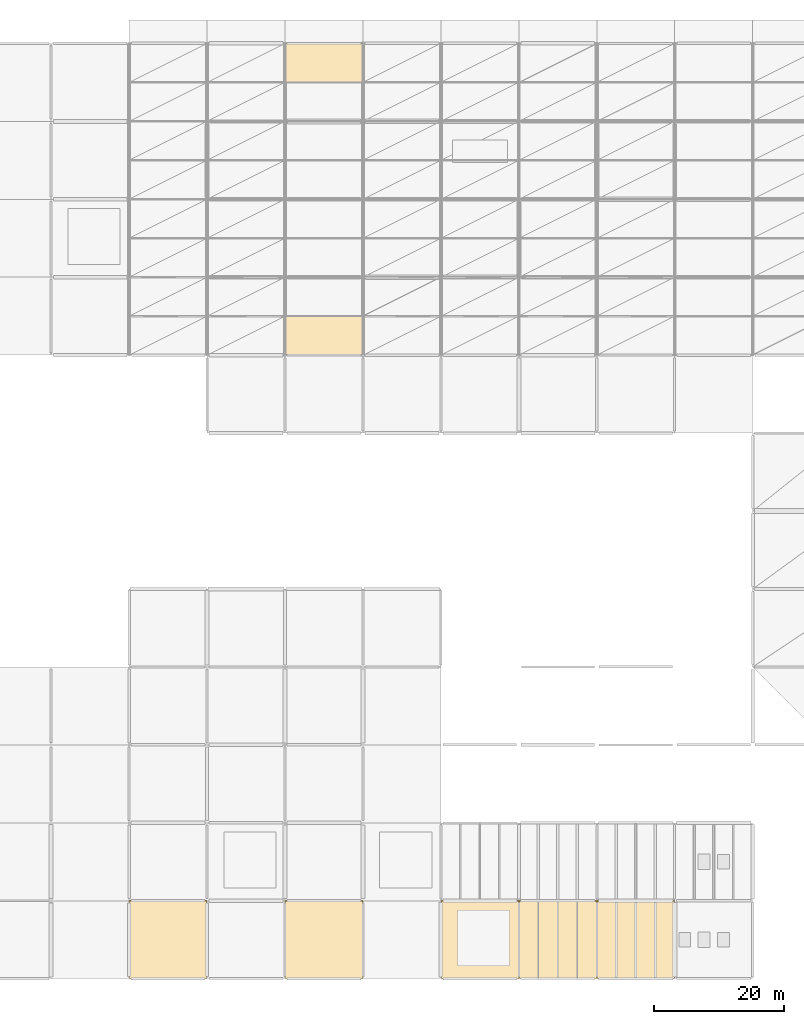
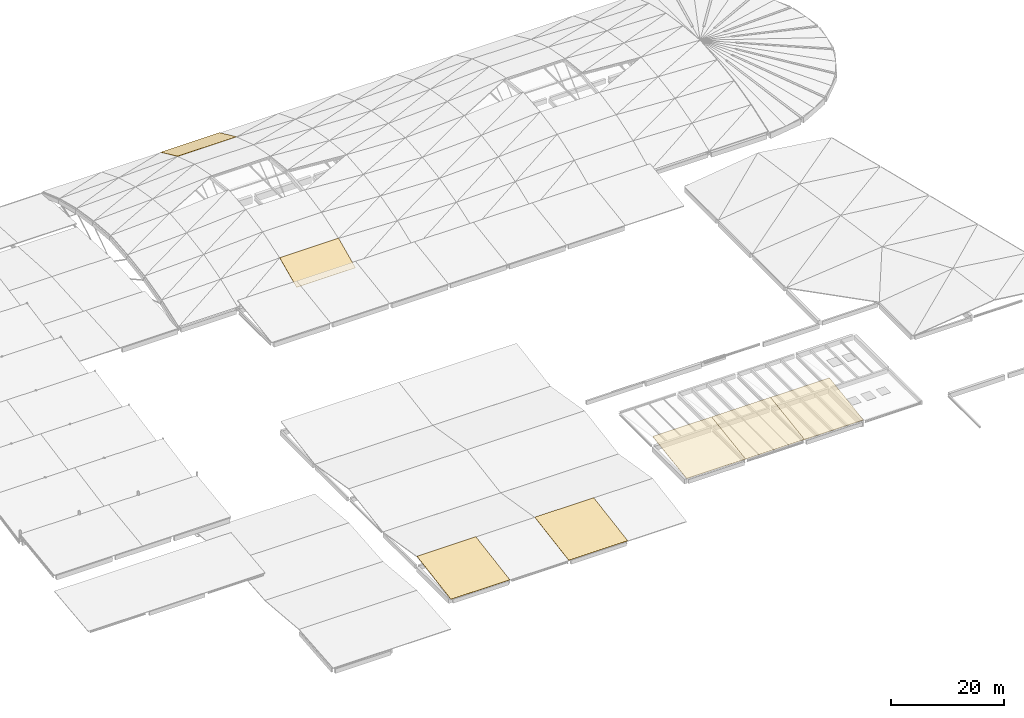
# One storey, part 23 of 23: 7 coverings.
"""IFC4 building model written with IfcOpenShell, lengths in metres."""

from ifc_helpers import new_model, si_unit, direction, frame, origin, place, context, subcontext, project, spatial, polyline, outline, extrude, material, layer, layer_set, type_object, element, save


model = new_model("IFC4")

# Units and contexts
model_context = context("Model", 3, precision=1e-05, world=origin(), true_north=direction((0.0, 1.0)))
body_context = subcontext(model_context, "Body", "Model", "MODEL_VIEW")
ifc_project = project(units=[si_unit("LENGTHUNIT", "METRE"), si_unit("AREAUNIT", "SQUARE_METRE"), si_unit("VOLUMEUNIT", "CUBIC_METRE"), si_unit("PLANEANGLEUNIT", "RADIAN"), si_unit("MASSUNIT", "GRAM", prefix="KILO")], contexts=[model_context])

# Site, building, storey
site_placement = place(None, origin())
site = spatial("IfcSite", under=ifc_project, at=site_placement, CompositionType="ELEMENT")
building_placement = place(site_placement, origin())
building = spatial("IfcBuilding", under=site, at=building_placement, Name="Kamomehara Wholesale Market", CompositionType="ELEMENT")
storey_placement = place(building_placement, frame((0.0, 0.0, 21.0)))
storey = spatial("IfcBuildingStorey", under=building, at=storey_placement, Name="RF", CompositionType="ELEMENT", Elevation=21.0)

# Coverings
ifc_material = material(Name="Solar-reflective roof membrane")
ifc_layer = layer(ifc_material, 0.044921875)
ifc_layer_set = layer_set([ifc_layer], Name="Solar-reflective roof membrane")
covering_type = type_object("IfcCoveringType", Name="COV-ROOF-MEM", PredefinedType="ROOFING", material=ifc_layer_set)
for number, where, z_axis, x_axis, name in (
    (1, (84.0, 108.0, -8.60498046875), (0.0, -0.417265796716, 0.908784493096), (1.0, 0.0, 0.0), "Shell roof membrane 1"),
    (2, (84.0, 150.0, -5.85009765625), (0.0, 0.417265796716, 0.908784493096), (1.0, 0.0, 0.0), "Shell roof membrane 2"),
):
    element("IfcCovering", number, at=place(storey_placement, frame(where, z_axis=z_axis, x_axis=x_axis)), inside=storey, type_object=covering_type, Name=name, PredefinedType="ROOFING", context=body_context, shape_type="SweptSolid", body=[
        extrude(outline(polyline([(0.0, 0.0), (12.0, 0.0), (12.0, 6.602225330190413), (0.0, 6.602225330190413), (0.0, 0.0)])), origin(), (0.0, 0.0, -1.0), 0.044921875),
    ])
for number, where, z_axis, x_axis, name in (
    (3, (108.0, 12.0, 0.044921875), (0.0, -0.148344388372, 0.988935762544), (1.0, 0.0, 0.0), "Roof waterproofing membrane 10"),
    (4, (120.0, 12.0, 0.044921875), (0.0, -0.148344388372, 0.988935762544), (1.0, 0.0, 0.0), "Roof waterproofing membrane 11"),
    (5, (132.0, 12.0, 0.044921875), (0.0, -0.148344388372, 0.988935762544), (1.0, 0.0, 0.0), "Roof waterproofing membrane 12"),
):
    element("IfcCovering", number, at=place(storey_placement, frame(where, z_axis=z_axis, x_axis=x_axis)), inside=storey, type_object=covering_type, Name=name, PredefinedType="ROOFING", context=body_context, shape_type="SweptSolid", body=[
        extrude(outline(polyline([(0.0, 0.0), (12.0, 0.0), (12.0, 12.13425629297627), (0.0, 12.13425629297627), (0.0, 0.0)])), origin(), (0.0, 0.0, -1.0), 0.044921875),
    ])
for number, where, z_axis, x_axis, name in (
    (6, (60.0, 12.0, -9.155029296875), (0.0, -0.164398987305, 0.986393923832), (1.0, 0.0, 0.0), "Roof waterproofing membrane 13"),
    (7, (84.0, 12.0, -9.155029296875), (0.0, -0.164398987305, 0.986393923832), (1.0, 0.0, 0.0), "Roof waterproofing membrane 14"),
):
    element("IfcCovering", number, at=place(storey_placement, frame(where, z_axis=z_axis, x_axis=x_axis)), inside=storey, type_object=covering_type, Name=name, PredefinedType="ROOFING", context=body_context, shape_type="SweptSolid", body=[
        extrude(outline(polyline([(0.0, 0.0), (12.0, 0.0), (12.0, 12.16552506059644), (0.0, 12.16552506059644), (0.0, 0.0)])), origin(), (0.0, 0.0, -1.0), 0.044921875),
    ])

save(model, "model.ifc")
